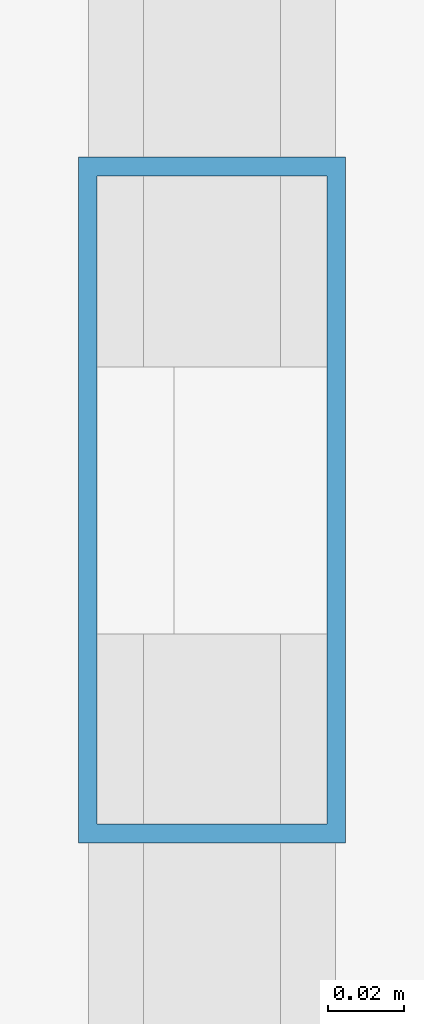
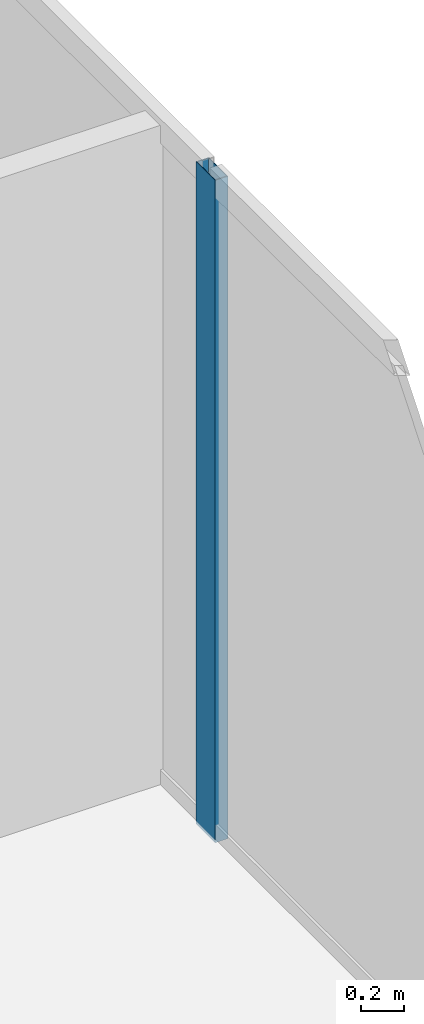
# One storey, part 24 of 35: 1 member, 1 element without a shape of its own.
"""IFC4 building model written with IfcOpenShell, lengths in metres."""

from ifc_helpers import new_model, si_unit, direction, frame, origin, origin_2d, place, context, subcontext, project, spatial, hollow_rectangle, extrude, source, transform, mapped, material, layer, layer_set, material_profile, profile_set, type_object, type_shapes, element, aggregate, save


model = new_model("IFC4")

# Units and contexts
model_context = context("Model", 3, precision=1e-05, world=origin(), true_north=direction((0.0, 1.0)))
body_context = subcontext(model_context, "Body", "Model", "MODEL_VIEW")
ifc_project = project(units=[si_unit("LENGTHUNIT", "METRE"), si_unit("AREAUNIT", "SQUARE_METRE"), si_unit("VOLUMEUNIT", "CUBIC_METRE"), si_unit("PLANEANGLEUNIT", "RADIAN"), si_unit("MASSUNIT", "GRAM", prefix="KILO")], contexts=[model_context])

# Site, building, storey
site_placement = place(None, origin())
site = spatial("IfcSite", under=ifc_project, at=site_placement, CompositionType="ELEMENT")
building_placement = place(site_placement, origin())
building = spatial("IfcBuilding", under=site, at=building_placement, Name="Haelvirn Gate Laboratories", CompositionType="ELEMENT")
storey_placement = place(building_placement, frame((0.0, 0.0, 226.0)))
storey = spatial("IfcBuildingStorey", under=building, at=storey_placement, Name="L54", CompositionType="ELEMENT", Elevation=226.0)

# Curtain wall, member
ifc_material_1 = material(Name="Anodised bronze unitised aluminium & triple low-E glass", Category="aluminium")
ifc_layer = layer(ifc_material_1, 0.176025390625, Name="CW-SYS-4")
ifc_layer_set = layer_set([ifc_layer], Name="Anodised bronze unitised aluminium & triple low-E glass")
curtain_wall_type = type_object("IfcCurtainWallType", Name="CW-SYS-4", PredefinedType="NOTDEFINED", material=ifc_layer_set)
curtain_wall_placement = place(storey_placement, origin())
curtain_wall = element("IfcCurtainWall", 1, at=curtain_wall_placement, inside=storey, type_object=curtain_wall_type, Name="L54 Unitised Curtain Wall CW-L54-P0-E07", PredefinedType="NOTDEFINED")
ifc_material_2 = material(Name="Extruded aluminium 6063-T6 (anodised bronze)", Category="aluminium")
ifc_material_profile = material_profile(ifc_material_2, hollow_rectangle(XDim=0.070068359375, YDim=0.179931640625, WallThickness=0.0048828125, at=origin_2d()), Name="CWM-180x70x5")
ifc_profile_set = profile_set([ifc_material_profile], Name="Extruded aluminium 6063-T6 (anodised bronze)")
member_type = type_object("IfcMemberType", Name="CWM-T180", PredefinedType="MULLION", material=ifc_profile_set)
shared_shape = source(origin(), body_context, "Body", "SweptSolid", [
    extrude(hollow_rectangle(XDim=0.070068359375, YDim=0.179931640625, WallThickness=0.0048828125, at=origin_2d()), origin(), (0.0, 0.0, 1.0), 3.800048828125),
])
type_shapes(member_type, [shared_shape])
member_placement = place(storey_placement, frame((70.699951171875, 24.300048828125, 0.0), z_axis=(0.0, 0.0, 1.0), x_axis=(-1.0, 0.0, 0.0)))
member = element("IfcMember", 2, at=member_placement, type_object=member_type, Name="CW4 mullion 2", PredefinedType="MULLION", context=body_context, shape_type="MappedRepresentation", body=[
    mapped(shared_shape, transform((0.0, 0.0, 0.0), scale=1.0)),
])
aggregate(curtain_wall, [member])

save(model, "model.ifc")
